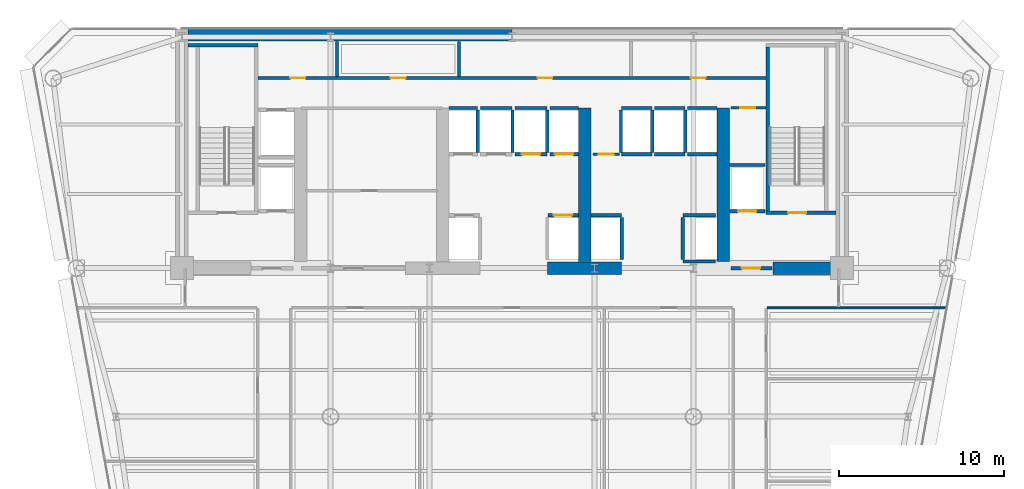
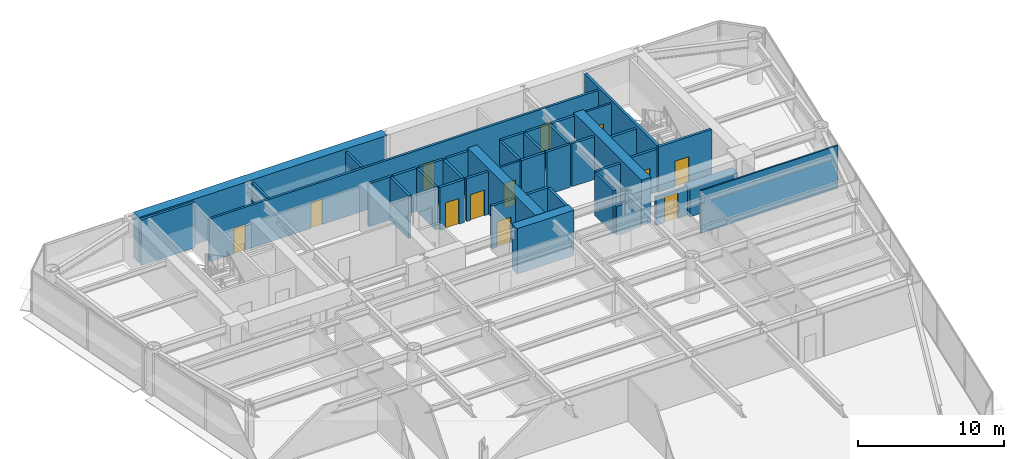
# One storey, part 9 of 14: 41 walls, 12 doors, 12 openings.
"""IFC4 building model written with IfcOpenShell, lengths in metres."""

from ifc_helpers import new_model, si_unit, direction, frame, frame_2d, origin, place, context, subcontext, project, spatial, rectangle, extrude, source, transform, mapped, material, layer, layer_set, type_object, element, fill, save


model = new_model("IFC4")

# Units and contexts
model_context = context("Model", 3, precision=1e-05, world=origin(), true_north=direction((0.0, 1.0)))
body_context = subcontext(model_context, "Body", "Model", "MODEL_VIEW")
ifc_project = project(units=[si_unit("LENGTHUNIT", "METRE"), si_unit("AREAUNIT", "SQUARE_METRE"), si_unit("VOLUMEUNIT", "CUBIC_METRE"), si_unit("PLANEANGLEUNIT", "RADIAN"), si_unit("MASSUNIT", "GRAM", prefix="KILO")], contexts=[model_context])

# Site, building, storey
site_placement = place(None, origin())
site = spatial("IfcSite", under=ifc_project, at=site_placement, CompositionType="ELEMENT")
building_placement = place(site_placement, origin())
building = spatial("IfcBuilding", under=site, at=building_placement, Name="Vaeldorn Concourse Tower", CompositionType="ELEMENT")
storey_placement = place(building_placement, frame((0.0, 0.0, 130.0)))
storey = spatial("IfcBuildingStorey", under=building, at=storey_placement, Name="L33", CompositionType="ELEMENT", Elevation=130.0)

# Walls
ifc_material_1 = material(Name="Concrete C60/75", Category="concrete")
ifc_layer_1 = layer(ifc_material_1, 0.75)
ifc_layer_set_1 = layer_set([ifc_layer_1], Name="Concrete C60/75")
wall_type_1 = type_object("IfcWallType", Name="WL-CORE-750", PredefinedType="SHEAR", material=ifc_layer_set_1)
wall_1_placement = place(storey_placement, frame((14.37890625, 50.625, 0.0), z_axis=(0.0, 0.0, 1.0), x_axis=(1.0, 0.0, 0.0)))
element("IfcWall", 1, at=wall_1_placement, inside=storey, type_object=wall_type_1, Name="Rear Core Shear Wall L33 N1", PredefinedType="SHEAR", context=body_context, shape_type="SweptSolid", body=[
    extrude(rectangle(XDim=19.619140625, YDim=0.75, at=frame_2d((9.8095703125, 0.0))), origin(), (0.0, 0.0, 1.0), 3.800048828125),
])
wall_2_placement = place(storey_placement, frame((36.14990234375, 36.5, 0.0), z_axis=(0.0, 0.0, 1.0), x_axis=(1.0, 0.0, 0.0)))
element("IfcWall", 2, at=wall_2_placement, inside=storey, type_object=wall_type_1, Name="Rear Core Shear Wall L33 S3", PredefinedType="SHEAR", context=body_context, shape_type="SweptSolid", body=[
    extrude(rectangle(XDim=4.5, YDim=0.75, at=frame_2d((2.25, 0.0))), origin(), (0.0, 0.0, 1.0), 3.800048828125),
])
wall_3_placement = place(storey_placement, frame((49.800048828125, 36.5, 0.0), z_axis=(0.0, 0.0, 1.0), x_axis=(1.0, 0.0, 0.0)))
element("IfcWall", 3, at=wall_3_placement, inside=storey, type_object=wall_type_1, Name="Rear Core Shear Wall L33 S4", PredefinedType="SHEAR", context=body_context, shape_type="SweptSolid", body=[
    extrude(rectangle(XDim=3.804931640625, YDim=0.75, at=frame_2d((1.90234375, 0.0))), origin(), (0.0, 0.0, 1.0), 2.3798828125),
])
for number, where, z_axis, x_axis, name in (
    (4, (38.39990234375, 36.89501953125, 0.0), (0.0, 0.0, 1.0), (0.0, 1.0, 0.0), "Rear Core Shear Wall L33 M3"),
    (5, (46.800048828125, 36.89501953125, 0.0), (0.0, 0.0, 1.0), (0.0, 1.0, 0.0), "Rear Core Shear Wall L33 M4"),
):
    element("IfcWall", number, at=place(storey_placement, frame(where, z_axis=z_axis, x_axis=x_axis)), inside=storey, type_object=wall_type_1, Name=name, PredefinedType="SHEAR", context=body_context, shape_type="SweptSolid", body=[
        extrude(rectangle(XDim=9.304931640625, YDim=0.75, at=frame_2d((4.65234375, 0.0))), origin(), (0.0, 0.0, 1.0), 3.800048828125),
    ])
ifc_material_2 = material(Name="Gypsum Board Partition", Category="gypsum")
ifc_layer_2 = layer(ifc_material_2, 0.1201171875)
ifc_layer_set_2 = layer_set([ifc_layer_2], Name="Gypsum Board Partition")
wall_type_2 = type_object("IfcWallType", Name="WL-PART-120", PredefinedType="PARTITIONING", material=ifc_layer_set_2)
wall_4_placement = place(storey_placement, frame((49.4599609375, 34.10009765625, 0.0), z_axis=(0.0, 0.0, 1.0), x_axis=(1.0, 0.0, 0.0)))
element("IfcWall", 6, at=wall_4_placement, inside=storey, type_object=wall_type_2, Name="Interior Wall PW-L33-CEWE", PredefinedType="PARTITIONING", context=body_context, shape_type="SweptSolid", body=[
    extrude(rectangle(XDim=10.84716796875, YDim=0.1201171875, at=frame_2d((5.423583984375, 0.0))), origin(), (0.0, 0.0, 1.0), 3.580078125),
])

# Wall, opening, door
ifc_layer_3 = layer(ifc_material_2, 0.14990234375)
ifc_layer_set_3 = layer_set([ifc_layer_3], Name="Gypsum Board Partition")
wall_type_3 = type_object("IfcWallType", Name="WL-PART-150", PredefinedType="PARTITIONING", material=ifc_layer_set_3)
wall_5_placement = place(storey_placement, frame((47.280029296875, 46.219970703125, 0.0), z_axis=(0.0, 0.0, 1.0), x_axis=(1.0, 0.0, 0.0)))
wall_5 = element("IfcWall", 7, at=wall_5_placement, inside=storey, type_object=wall_type_3, Name="Interior Wall CW-L33-CRSE-N", PredefinedType="PARTITIONING", context=body_context, shape_type="SweptSolid", body=[
    extrude(rectangle(XDim=2.099853515625, YDim=0.14990234375, at=frame_2d((1.0498046875, 0.0))), origin(), (0.0, 0.0, 1.0), 3.580078125),
])
opening_1_placement = place(wall_5_placement, frame((0.550048828125, 0.0, 0.0)))
opening_1 = element("IfcOpeningElement", 8, at=opening_1_placement, cuts=wall_5, Name="Opening D-02", PredefinedType="OPENING", context=body_context, shape_type="SweptSolid", body=[
    extrude(rectangle(XDim=0.89990234375, YDim=2.10009765625, at=frame_2d((0.449951171875, 1.050048828125))), frame((0.0, 0.0849609375, 0.0), z_axis=(0.0, -1.0, 0.0), x_axis=(1.0, 0.0, 0.0)), (0.0, 0.0, 1.0), 0.169921875),
])
ifc_material_3 = material(Name="Fire-Rated Timber Leaf", Category="wood")
door_type_1 = type_object("IfcDoorType", Name="DR-FD30-900", OperationType="NOTDEFINED", PredefinedType="DOOR", material=ifc_material_3)
shared_shape_1 = source(origin(), body_context, "Body", "SweptSolid", [
    extrude(rectangle(XDim=0.89990234375, YDim=2.10009765625, at=frame_2d((0.449951171875, 1.050048828125))), frame((0.0, 0.02490234375, 0.0), z_axis=(0.0, -1.0, 0.0), x_axis=(1.0, 0.0, 0.0)), (0.0, 0.0, 1.0), 0.050048828125),
])
door_1_placement = place(opening_1_placement, origin())
door_1 = element("IfcDoor", 9, at=door_1_placement, inside=storey, type_object=door_type_1, Name="Interior Door DR-L33-CRSE", OperationType="SINGLE_SWING_RIGHT", OverallHeight=2.10009765625, OverallWidth=0.89990234375, PredefinedType="DOOR", context=body_context, shape_type="MappedRepresentation", body=[
    mapped(shared_shape_1, transform((0.0, 0.0, 0.0), scale=1.0)),
])
fill(opening_1, door_1)

wall_6_placement = place(storey_placement, frame((38.919921875, 43.39990234375, 0.0), z_axis=(0.0, 0.0, 1.0), x_axis=(1.0, 0.0, 0.0)))
wall_6 = element("IfcWall", 10, at=wall_6_placement, inside=storey, type_object=wall_type_3, Name="Interior Wall CW-L33-CCLINK", PredefinedType="PARTITIONING", context=body_context, shape_type="SweptSolid", body=[
    extrude(rectangle(XDim=1.60009765625, YDim=0.14990234375, at=frame_2d((0.800048828125, 0.0))), origin(), (0.0, 0.0, 1.0), 3.580078125),
])
opening_2_placement = place(wall_6_placement, frame((0.35009765625, 0.0, 0.0)))
opening_2 = element("IfcOpeningElement", 11, at=opening_2_placement, cuts=wall_6, Name="Opening D-02", PredefinedType="OPENING", context=body_context, shape_type="SweptSolid", body=[
    extrude(rectangle(XDim=0.89990234375, YDim=2.10009765625, at=frame_2d((0.449951171875, 1.050048828125))), frame((0.0, 0.0849609375, 0.0), z_axis=(0.0, -1.0, 0.0), x_axis=(1.0, 0.0, 0.0)), (0.0, 0.0, 1.0), 0.169921875),
])
door_2_placement = place(opening_2_placement, origin())
door_2 = element("IfcDoor", 12, at=door_2_placement, inside=storey, type_object=door_type_1, Name="Interior Door DR-L33-CCLINK", OperationType="SINGLE_SWING_LEFT", OverallHeight=2.10009765625, OverallWidth=0.89990234375, PredefinedType="DOOR", context=body_context, shape_type="MappedRepresentation", body=[
    mapped(shared_shape_1, transform((0.0, 0.0, 0.0), scale=1.0)),
])
fill(opening_2, door_2)

# Wall, openings, doors
ifc_layer_4 = layer(ifc_material_2, 0.179931640625)
ifc_layer_set_4 = layer_set([ifc_layer_4], Name="Gypsum Board Partition")
wall_type_4 = type_object("IfcWallType", Name="WL-PLUMB-180", PredefinedType="PLUMBINGWALL", material=ifc_layer_set_4)
wall_7_placement = place(storey_placement, frame((18.6201171875, 48.02001953125, 0.0), z_axis=(0.0, 0.0, 1.0), x_axis=(1.0, 0.0, 0.0)))
wall_7 = element("IfcWall", 13, at=wall_7_placement, inside=storey, type_object=wall_type_4, Name="Interior Wall CW-L33-NS0", PredefinedType="PLUMBINGWALL", context=body_context, shape_type="SweptSolid", body=[
    extrude(rectangle(XDim=30.759765625, YDim=0.179931640625, at=frame_2d((15.3798828125, 0.0))), origin(), (0.0, 0.0, 1.0), 3.580078125),
])
opening_3_placement = place(wall_7_placement, frame((1.955078125, 0.0, 0.0)))
opening_3 = element("IfcOpeningElement", 14, at=opening_3_placement, cuts=wall_7, Name="Opening D-03", PredefinedType="OPENING", context=body_context, shape_type="SweptSolid", body=[
    extrude(rectangle(XDim=0.89990234375, YDim=2.14990234375, at=frame_2d((0.449951171875, 1.074951171875))), frame((0.0, 0.10009765625, 0.0), z_axis=(0.0, -1.0, 0.0), x_axis=(1.0, 0.0, 0.0)), (0.0, 0.0, 1.0), 0.199951171875),
])
opening_4_placement = place(wall_7_placement, frame((8.030029296875, 0.0, 0.0)))
opening_4 = element("IfcOpeningElement", 15, at=opening_4_placement, cuts=wall_7, Name="Opening D-03", PredefinedType="OPENING", context=body_context, shape_type="SweptSolid", body=[
    extrude(rectangle(XDim=0.89990234375, YDim=2.14990234375, at=frame_2d((0.449951171875, 1.074951171875))), frame((0.0, 0.10009765625, 0.0), z_axis=(0.0, -1.0, 0.0), x_axis=(1.0, 0.0, 0.0)), (0.0, 0.0, 1.0), 0.199951171875),
])
opening_5_placement = place(wall_7_placement, frame((16.929931640625, 0.0, 0.0)))
opening_5 = element("IfcOpeningElement", 16, at=opening_5_placement, cuts=wall_7, Name="Opening D-03", PredefinedType="OPENING", context=body_context, shape_type="SweptSolid", body=[
    extrude(rectangle(XDim=0.89990234375, YDim=2.14990234375, at=frame_2d((0.449951171875, 1.074951171875))), frame((0.0, 0.10009765625, 0.0), z_axis=(0.0, -1.0, 0.0), x_axis=(1.0, 0.0, 0.0)), (0.0, 0.0, 1.0), 0.199951171875),
])
opening_6_placement = place(wall_7_placement, frame((26.205078125, 0.0, 0.0)))
opening_6 = element("IfcOpeningElement", 17, at=opening_6_placement, cuts=wall_7, Name="Opening D-03", PredefinedType="OPENING", context=body_context, shape_type="SweptSolid", body=[
    extrude(rectangle(XDim=0.89990234375, YDim=2.14990234375, at=frame_2d((0.449951171875, 1.074951171875))), frame((0.0, 0.10009765625, 0.0), z_axis=(0.0, -1.0, 0.0), x_axis=(1.0, 0.0, 0.0)), (0.0, 0.0, 1.0), 0.199951171875),
])
ifc_material_4 = material(Name="Acoustic Bronze-Framed Glass Door", Category="glass")
door_type_2 = type_object("IfcDoorType", Name="DR-INT-900", OperationType="NOTDEFINED", PredefinedType="DOOR", material=ifc_material_4)
shared_shape_2 = source(origin(), body_context, "Body", "SweptSolid", [
    extrude(rectangle(XDim=0.89990234375, YDim=2.14990234375, at=frame_2d((0.449951171875, 1.074951171875))), frame((0.0, 0.02490234375, 0.0), z_axis=(0.0, -1.0, 0.0), x_axis=(1.0, 0.0, 0.0)), (0.0, 0.0, 1.0), 0.050048828125),
])
door_3_placement = place(opening_3_placement, origin())
door_3 = element("IfcDoor", 18, at=door_3_placement, inside=storey, type_object=door_type_2, Name="Interior Door DR-L33-CS1", OperationType="SINGLE_SWING_LEFT", OverallHeight=2.14990234375, OverallWidth=0.89990234375, PredefinedType="DOOR", context=body_context, shape_type="MappedRepresentation", body=[
    mapped(shared_shape_2, transform((0.0, 0.0, 0.0), scale=1.0)),
])
fill(opening_3, door_3)
door_4_placement = place(opening_4_placement, origin())
door_4 = element("IfcDoor", 19, at=door_4_placement, inside=storey, type_object=door_type_2, Name="Interior Door DR-L33-CS2", OperationType="SINGLE_SWING_RIGHT", OverallHeight=2.14990234375, OverallWidth=0.89990234375, PredefinedType="DOOR", context=body_context, shape_type="MappedRepresentation", body=[
    mapped(shared_shape_2, transform((0.0, 0.0, 0.0), scale=1.0)),
])
fill(opening_4, door_4)
door_5_placement = place(opening_5_placement, origin())
door_5 = element("IfcDoor", 20, at=door_5_placement, inside=storey, type_object=door_type_2, Name="Interior Door DR-L33-CS3", OperationType="SINGLE_SWING_LEFT", OverallHeight=2.14990234375, OverallWidth=0.89990234375, PredefinedType="DOOR", context=body_context, shape_type="MappedRepresentation", body=[
    mapped(shared_shape_2, transform((0.0, 0.0, 0.0), scale=1.0)),
])
fill(opening_5, door_5)
door_6_placement = place(opening_6_placement, origin())
door_6 = element("IfcDoor", 21, at=door_6_placement, inside=storey, type_object=door_type_2, Name="Interior Door DR-L33-CS4", OperationType="SINGLE_SWING_RIGHT", OverallHeight=2.14990234375, OverallWidth=0.89990234375, PredefinedType="DOOR", context=body_context, shape_type="MappedRepresentation", body=[
    mapped(shared_shape_2, transform((0.0, 0.0, 0.0), scale=1.0)),
])
fill(opening_6, door_6)

# Walls
for number, where, z_axis, x_axis, name in (
    (22, (23.39990234375, 48.10009765625, 0.0), (0.0, 0.0, 1.0), (0.0, 1.0, 0.0), "Interior Wall CW-L33-NDIV1"),
    (23, (30.800048828125, 48.10009765625, 0.0), (0.0, 0.0, 1.0), (0.0, 1.0, 0.0), "Interior Wall CW-L33-NDIV2"),
):
    element("IfcWall", number, at=place(storey_placement, frame(where, z_axis=z_axis, x_axis=x_axis)), inside=storey, type_object=wall_type_4, Name=name, PredefinedType="PLUMBINGWALL", context=body_context, shape_type="SweptSolid", body=[
        extrude(rectangle(XDim=2.1298828125, YDim=0.179931640625, at=frame_2d((1.06494140625, 0.0))), origin(), (0.0, 0.0, 1.0), 3.580078125),
    ])
ifc_material_5 = material(Name="Concrete C50/60", Category="concrete")
ifc_layer_5 = layer(ifc_material_5, 0.199951171875)
ifc_layer_set_5 = layer_set([ifc_layer_5], Name="Concrete C50/60")
wall_type_5 = type_object("IfcWallType", Name="WL-SHAFT-200", PredefinedType="SOLIDWALL", material=ifc_layer_set_5)
wall_8_placement = place(storey_placement, frame((14.375, 50.0, 0.0), z_axis=(0.0, 0.0, 1.0), x_axis=(1.0, 0.0, 0.0)))
element("IfcWall", 24, at=wall_8_placement, inside=storey, type_object=wall_type_5, Name="Stair Shaft Wall CW-L33-ST-1-N", PredefinedType="SOLIDWALL", context=body_context, shape_type="SweptSolid", body=[
    extrude(rectangle(XDim=4.22509765625, YDim=0.199951171875, at=frame_2d((2.112548828125, 0.0))), origin(), (0.0, 0.0, 1.0), 3.800048828125),
])

# Wall, opening, door
wall_9_placement = place(storey_placement, frame((49.39990234375, 39.85009765625, 0.0), z_axis=(0.0, 0.0, 1.0), x_axis=(1.0, 0.0, 0.0)))
wall_9 = element("IfcWall", 25, at=wall_9_placement, inside=storey, type_object=wall_type_5, Name="Stair Shaft Wall CW-L33-ST-2-S", PredefinedType="SOLIDWALL", context=body_context, shape_type="SweptSolid", body=[
    extrude(rectangle(XDim=4.22509765625, YDim=0.199951171875, at=frame_2d((2.112548828125, 0.0))), origin(), (0.0, 0.0, 1.0), 3.800048828125),
])
opening_7_placement = place(wall_9_placement, frame((1.324951171875, 0.0, 0.0)))
opening_7 = element("IfcOpeningElement", 26, at=opening_7_placement, cuts=wall_9, Name="Opening D-01", PredefinedType="OPENING", context=body_context, shape_type="SweptSolid", body=[
    extrude(rectangle(XDim=1.10009765625, YDim=2.14990234375, at=frame_2d((0.550048828125, 1.074951171875))), frame((0.0, 0.10986328125, 0.0), z_axis=(0.0, -1.0, 0.0), x_axis=(1.0, 0.0, 0.0)), (0.0, 0.0, 1.0), 0.219970703125),
])
ifc_material_6 = material(Name="Fire-Rated Timber and Steel Leaf", Category="steel")
door_type_3 = type_object("IfcDoorType", Name="DR-FD60-1100", OperationType="NOTDEFINED", PredefinedType="DOOR", material=ifc_material_6)
shared_shape_3 = source(origin(), body_context, "Body", "SweptSolid", [
    extrude(rectangle(XDim=1.10009765625, YDim=2.14990234375, at=frame_2d((0.550048828125, 1.074951171875))), frame((0.0, 0.02490234375, 0.0), z_axis=(0.0, -1.0, 0.0), x_axis=(1.0, 0.0, 0.0)), (0.0, 0.0, 1.0), 0.050048828125),
])
door_7_placement = place(opening_7_placement, origin())
door_7 = element("IfcDoor", 27, at=door_7_placement, inside=storey, type_object=door_type_3, Name="Interior Door DR-L33-ST-2", OperationType="SINGLE_SWING_RIGHT", OverallHeight=2.14990234375, OverallWidth=1.10009765625, PredefinedType="DOOR", context=body_context, shape_type="MappedRepresentation", body=[
    mapped(shared_shape_3, transform((0.0, 0.0, 0.0), scale=1.0)),
])
fill(opening_7, door_7)

# Wall
wall_10_placement = place(storey_placement, frame((49.5, 39.9599609375, 0.0), z_axis=(0.0, 0.0, 1.0), x_axis=(0.0, 1.0, 0.0)))
element("IfcWall", 28, at=wall_10_placement, inside=storey, type_object=wall_type_5, Name="Stair Shaft Wall CW-L33-ST-2-W", PredefinedType="SOLIDWALL", context=body_context, shape_type="SweptSolid", body=[
    extrude(rectangle(XDim=9.929931640625, YDim=0.199951171875, at=frame_2d((4.96484375, 0.0))), origin(), (0.0, 0.0, 1.0), 3.800048828125),
])

# Wall, opening, door
wall_11_placement = place(storey_placement, frame((47.280029296875, 36.5, 0.0), z_axis=(0.0, 0.0, 1.0), x_axis=(1.0, 0.0, 0.0)))
wall_11 = element("IfcWall", 29, at=wall_11_placement, inside=storey, type_object=wall_type_5, Name="Interior Wall CW-L33-FF2S", PredefinedType="SOLIDWALL", context=body_context, shape_type="SweptSolid", body=[
    extrude(rectangle(XDim=2.469970703125, YDim=0.199951171875, at=frame_2d((1.23486328125, 0.0))), origin(), (0.0, 0.0, 1.0), 2.3701171875),
])
opening_8_placement = place(wall_11_placement, frame((0.64990234375, 0.0, 0.0)))
opening_8 = element("IfcOpeningElement", 30, at=opening_8_placement, cuts=wall_11, Name="Opening D-01", PredefinedType="OPENING", context=body_context, shape_type="SweptSolid", body=[
    extrude(rectangle(XDim=1.10009765625, YDim=2.14990234375, at=frame_2d((0.550048828125, 1.074951171875))), frame((0.0, 0.10986328125, 0.0), z_axis=(0.0, -1.0, 0.0), x_axis=(1.0, 0.0, 0.0)), (0.0, 0.0, 1.0), 0.219970703125),
])
door_8_placement = place(opening_8_placement, origin())
door_8 = element("IfcDoor", 31, at=door_8_placement, inside=storey, type_object=door_type_3, Name="Interior Door DR-L33-FF2W", OperationType="SINGLE_SWING_LEFT", OverallHeight=2.14990234375, OverallWidth=1.10009765625, PredefinedType="DOOR", context=body_context, shape_type="MappedRepresentation", body=[
    mapped(shared_shape_3, transform((0.0, 0.0, 0.0), scale=1.0)),
])
fill(opening_8, door_8)

wall_12_placement = place(storey_placement, frame((36.169921875, 39.699951171875, 0.0), z_axis=(0.0, 0.0, 1.0), x_axis=(1.0, 0.0, 0.0)))
wall_12 = element("IfcWall", 32, at=wall_12_placement, inside=storey, type_object=wall_type_5, Name="Interior Wall CW-L33-LF-LF-08", PredefinedType="SOLIDWALL", context=body_context, shape_type="SweptSolid", body=[
    extrude(rectangle(XDim=1.844970703125, YDim=0.199951171875, at=frame_2d((0.92236328125, 0.0))), origin(), (0.0, 0.0, 1.0), 3.580078125),
])
opening_9_placement = place(wall_12_placement, frame((0.3720703125, 0.0, 0.0)))
opening_9 = element("IfcOpeningElement", 33, at=opening_9_placement, cuts=wall_12, Name="Opening LD-1", PredefinedType="OPENING", context=body_context, shape_type="SweptSolid", body=[
    extrude(rectangle(XDim=1.10009765625, YDim=2.14990234375, at=frame_2d((0.550048828125, 1.074951171875))), frame((0.0, 0.10986328125, 0.0), z_axis=(0.0, -1.0, 0.0), x_axis=(1.0, 0.0, 0.0)), (0.0, 0.0, 1.0), 0.219970703125),
])
ifc_material_7 = material(Name="Anodised Bronze Aluminium", Category="aluminium")
door_type_4 = type_object("IfcDoorType", Name="DR-LIFT-SLIDE-1100", OperationType="DOUBLE_DOOR_SLIDING", PredefinedType="DOOR", material=ifc_material_7)
door_9_placement = place(opening_9_placement, origin())
door_9 = element("IfcDoor", 34, at=door_9_placement, inside=storey, type_object=door_type_4, Name="Lift Landing Door LD-L33-LF-08", OperationType="DOUBLE_DOOR_SLIDING", OverallHeight=2.14990234375, OverallWidth=1.10009765625, PredefinedType="DOOR", context=body_context, shape_type="MappedRepresentation", body=[
    mapped(shared_shape_3, transform((0.0, 0.0, 0.0), scale=1.0)),
])
fill(opening_9, door_9)

# Walls
wall_13_placement = place(storey_placement, frame((30.18505859375, 46.199951171875, 0.0), z_axis=(0.0, 0.0, 1.0), x_axis=(1.0, 0.0, 0.0)))
element("IfcWall", 35, at=wall_13_placement, inside=storey, type_object=wall_type_5, Name="Interior Wall CW-L33-LFB-LF-09", PredefinedType="SOLIDWALL", context=body_context, shape_type="SweptSolid", body=[
    extrude(rectangle(XDim=1.724853515625, YDim=0.199951171875, at=frame_2d((0.8623046875, 0.0))), origin(), (0.0, 0.0, 1.0), 3.580078125),
])
wall_14_placement = place(storey_placement, frame((31.929931640625, 43.52001953125, 0.0), z_axis=(0.0, 0.0, 1.0), x_axis=(0.0, 1.0, 0.0)))
element("IfcWall", 36, at=wall_14_placement, inside=storey, type_object=wall_type_5, Name="Interior Wall CW-L33-LFE-LF-09", PredefinedType="SOLIDWALL", context=body_context, shape_type="SweptSolid", body=[
    extrude(rectangle(XDim=2.56005859375, YDim=0.199951171875, at=frame_2d((1.280029296875, 0.0))), origin(), (0.0, 0.0, 1.0), 3.580078125),
])
wall_15_placement = place(storey_placement, frame((32.090087890625, 46.199951171875, 0.0), z_axis=(0.0, 0.0, 1.0), x_axis=(1.0, 0.0, 0.0)))
element("IfcWall", 37, at=wall_15_placement, inside=storey, type_object=wall_type_5, Name="Interior Wall CW-L33-LFB-LF-10", PredefinedType="SOLIDWALL", context=body_context, shape_type="SweptSolid", body=[
    extrude(rectangle(XDim=1.919921875, YDim=0.199951171875, at=frame_2d((0.9599609375, 0.0))), origin(), (0.0, 0.0, 1.0), 3.580078125),
])
wall_16_placement = place(storey_placement, frame((34.030029296875, 43.52001953125, 0.0), z_axis=(0.0, 0.0, 1.0), x_axis=(0.0, 1.0, 0.0)))
element("IfcWall", 38, at=wall_16_placement, inside=storey, type_object=wall_type_5, Name="Interior Wall CW-L33-LFE-LF-10", PredefinedType="SOLIDWALL", context=body_context, shape_type="SweptSolid", body=[
    extrude(rectangle(XDim=2.56005859375, YDim=0.199951171875, at=frame_2d((1.280029296875, 0.0))), origin(), (0.0, 0.0, 1.0), 3.580078125),
])

# Wall, opening, door
wall_17_placement = place(storey_placement, frame((34.18994140625, 43.39990234375, 0.0), z_axis=(0.0, 0.0, 1.0), x_axis=(1.0, 0.0, 0.0)))
wall_17 = element("IfcWall", 39, at=wall_17_placement, inside=storey, type_object=wall_type_5, Name="Interior Wall CW-L33-LF-LF-11", PredefinedType="SOLIDWALL", context=body_context, shape_type="SweptSolid", body=[
    extrude(rectangle(XDim=1.920166015625, YDim=0.199951171875, at=frame_2d((0.9599609375, 0.0))), origin(), (0.0, 0.0, 1.0), 3.580078125),
])
opening_10_placement = place(wall_17_placement, frame((0.409912109375, 0.0, 0.0)))
opening_10 = element("IfcOpeningElement", 40, at=opening_10_placement, cuts=wall_17, Name="Opening LD-1", PredefinedType="OPENING", context=body_context, shape_type="SweptSolid", body=[
    extrude(rectangle(XDim=1.10009765625, YDim=2.14990234375, at=frame_2d((0.550048828125, 1.074951171875))), frame((0.0, 0.10986328125, 0.0), z_axis=(0.0, -1.0, 0.0), x_axis=(1.0, 0.0, 0.0)), (0.0, 0.0, 1.0), 0.219970703125),
])
door_10_placement = place(opening_10_placement, origin())
door_10 = element("IfcDoor", 41, at=door_10_placement, inside=storey, type_object=door_type_4, Name="Lift Landing Door LD-L33-LF-11", OperationType="DOUBLE_DOOR_SLIDING", OverallHeight=2.14990234375, OverallWidth=1.10009765625, PredefinedType="DOOR", context=body_context, shape_type="MappedRepresentation", body=[
    mapped(shared_shape_3, transform((0.0, 0.0, 0.0), scale=1.0)),
])
fill(opening_10, door_10)

# Walls
wall_18_placement = place(storey_placement, frame((34.18994140625, 46.199951171875, 0.0), z_axis=(0.0, 0.0, 1.0), x_axis=(1.0, 0.0, 0.0)))
element("IfcWall", 42, at=wall_18_placement, inside=storey, type_object=wall_type_5, Name="Interior Wall CW-L33-LFB-LF-11", PredefinedType="SOLIDWALL", context=body_context, shape_type="SweptSolid", body=[
    extrude(rectangle(XDim=1.920166015625, YDim=0.199951171875, at=frame_2d((0.9599609375, 0.0))), origin(), (0.0, 0.0, 1.0), 3.580078125),
])
wall_19_placement = place(storey_placement, frame((36.1298828125, 43.52001953125, 0.0), z_axis=(0.0, 0.0, 1.0), x_axis=(0.0, 1.0, 0.0)))
element("IfcWall", 43, at=wall_19_placement, inside=storey, type_object=wall_type_5, Name="Interior Wall CW-L33-LFE-LF-11", PredefinedType="SOLIDWALL", context=body_context, shape_type="SweptSolid", body=[
    extrude(rectangle(XDim=2.56005859375, YDim=0.199951171875, at=frame_2d((1.280029296875, 0.0))), origin(), (0.0, 0.0, 1.0), 3.580078125),
])

# Wall, opening, door
wall_20_placement = place(storey_placement, frame((36.2900390625, 43.39990234375, 0.0), z_axis=(0.0, 0.0, 1.0), x_axis=(1.0, 0.0, 0.0)))
wall_20 = element("IfcWall", 44, at=wall_20_placement, inside=storey, type_object=wall_type_5, Name="Interior Wall CW-L33-LF-LF-12", PredefinedType="SOLIDWALL", context=body_context, shape_type="SweptSolid", body=[
    extrude(rectangle(XDim=1.724853515625, YDim=0.199951171875, at=frame_2d((0.8623046875, 0.0))), origin(), (0.0, 0.0, 1.0), 3.580078125),
])
opening_11_placement = place(wall_20_placement, frame((0.31298828125, 0.0, 0.0)))
opening_11 = element("IfcOpeningElement", 45, at=opening_11_placement, cuts=wall_20, Name="Opening LD-1", PredefinedType="OPENING", context=body_context, shape_type="SweptSolid", body=[
    extrude(rectangle(XDim=1.10009765625, YDim=2.14990234375, at=frame_2d((0.550048828125, 1.074951171875))), frame((0.0, 0.10986328125, 0.0), z_axis=(0.0, -1.0, 0.0), x_axis=(1.0, 0.0, 0.0)), (0.0, 0.0, 1.0), 0.219970703125),
])
door_11_placement = place(opening_11_placement, origin())
door_11 = element("IfcDoor", 46, at=door_11_placement, inside=storey, type_object=door_type_4, Name="Lift Landing Door LD-L33-LF-12", OperationType="DOUBLE_DOOR_SLIDING", OverallHeight=2.14990234375, OverallWidth=1.10009765625, PredefinedType="DOOR", context=body_context, shape_type="MappedRepresentation", body=[
    mapped(shared_shape_3, transform((0.0, 0.0, 0.0), scale=1.0)),
])
fill(opening_11, door_11)

# Walls
wall_21_placement = place(storey_placement, frame((36.2900390625, 46.199951171875, 0.0), z_axis=(0.0, 0.0, 1.0), x_axis=(1.0, 0.0, 0.0)))
element("IfcWall", 47, at=wall_21_placement, inside=storey, type_object=wall_type_5, Name="Interior Wall CW-L33-LFB-LF-12", PredefinedType="SOLIDWALL", context=body_context, shape_type="SweptSolid", body=[
    extrude(rectangle(XDim=1.724853515625, YDim=0.199951171875, at=frame_2d((0.8623046875, 0.0))), origin(), (0.0, 0.0, 1.0), 3.580078125),
])
wall_22_placement = place(storey_placement, frame((38.784912109375, 39.699951171875, 0.0), z_axis=(0.0, 0.0, 1.0), x_axis=(1.0, 0.0, 0.0)))
element("IfcWall", 48, at=wall_22_placement, inside=storey, type_object=wall_type_5, Name="Interior Wall CW-L33-LF-LF-13", PredefinedType="SOLIDWALL", context=body_context, shape_type="SweptSolid", body=[
    extrude(rectangle(XDim=1.844970703125, YDim=0.199951171875, at=frame_2d((0.92236328125, 0.0))), origin(), (0.0, 0.0, 1.0), 3.580078125),
])
wall_23_placement = place(storey_placement, frame((40.64990234375, 37.02001953125, 0.0), z_axis=(0.0, 0.0, 1.0), x_axis=(0.0, 1.0, 0.0)))
element("IfcWall", 49, at=wall_23_placement, inside=storey, type_object=wall_type_5, Name="Interior Wall CW-L33-LFE-LF-13", PredefinedType="SOLIDWALL", context=body_context, shape_type="SweptSolid", body=[
    extrude(rectangle(XDim=2.56005859375, YDim=0.199951171875, at=frame_2d((1.280029296875, 0.0))), origin(), (0.0, 0.0, 1.0), 3.580078125),
])
wall_24_placement = place(storey_placement, frame((44.3701171875, 39.699951171875, 0.0), z_axis=(0.0, 0.0, 1.0), x_axis=(1.0, 0.0, 0.0)))
element("IfcWall", 50, at=wall_24_placement, inside=storey, type_object=wall_type_5, Name="Interior Wall CW-L33-LF-LF-14", PredefinedType="SOLIDWALL", context=body_context, shape_type="SweptSolid", body=[
    extrude(rectangle(XDim=1.9599609375, YDim=0.199951171875, at=frame_2d((0.97998046875, 0.0))), origin(), (0.0, 0.0, 1.0), 3.580078125),
])
wall_25_placement = place(storey_placement, frame((44.3701171875, 36.89990234375, 0.0), z_axis=(0.0, 0.0, 1.0), x_axis=(1.0, 0.0, 0.0)))
element("IfcWall", 51, at=wall_25_placement, inside=storey, type_object=wall_type_5, Name="Interior Wall CW-L33-LFB-LF-14", PredefinedType="SOLIDWALL", context=body_context, shape_type="SweptSolid", body=[
    extrude(rectangle(XDim=1.9599609375, YDim=0.199951171875, at=frame_2d((0.97998046875, 0.0))), origin(), (0.0, 0.0, 1.0), 2.3701171875),
])
wall_26_placement = place(storey_placement, frame((44.35009765625, 37.02001953125, 0.0), z_axis=(0.0, 0.0, 1.0), x_axis=(0.0, 1.0, 0.0)))
element("IfcWall", 52, at=wall_26_placement, inside=storey, type_object=wall_type_5, Name="Interior Wall CW-L33-LFW-LF-14", PredefinedType="SOLIDWALL", context=body_context, shape_type="SweptSolid", body=[
    extrude(rectangle(XDim=2.56005859375, YDim=0.199951171875, at=frame_2d((1.280029296875, 0.0))), origin(), (0.0, 0.0, 1.0), 3.580078125),
])
for number, where, z_axis, x_axis, name in (
    (53, (40.6201171875, 43.39990234375, 0.0), (0.0, 0.0, 1.0), (1.0, 0.0, 0.0), "Interior Wall CW-L33-LF-LF-15"),
    (54, (40.6201171875, 46.199951171875, 0.0), (0.0, 0.0, 1.0), (1.0, 0.0, 0.0), "Interior Wall CW-L33-LFB-LF-15"),
):
    element("IfcWall", number, at=place(storey_placement, frame(where, z_axis=z_axis, x_axis=x_axis)), inside=storey, type_object=wall_type_5, Name=name, PredefinedType="SOLIDWALL", context=body_context, shape_type="SweptSolid", body=[
        extrude(rectangle(XDim=1.85986328125, YDim=0.199951171875, at=frame_2d((0.929931640625, 0.0))), origin(), (0.0, 0.0, 1.0), 3.580078125),
    ])
for number, where, z_axis, x_axis, name in (
    (55, (40.60009765625, 43.52001953125, 0.0), (0.0, 0.0, 1.0), (0.0, 1.0, 0.0), "Interior Wall CW-L33-LFW-LF-15"),
    (56, (42.5, 43.52001953125, 0.0), (0.0, 0.0, 1.0), (0.0, 1.0, 0.0), "Interior Wall CW-L33-LFE-LF-15"),
):
    element("IfcWall", number, at=place(storey_placement, frame(where, z_axis=z_axis, x_axis=x_axis)), inside=storey, type_object=wall_type_5, Name=name, PredefinedType="SOLIDWALL", context=body_context, shape_type="SweptSolid", body=[
        extrude(rectangle(XDim=2.56005859375, YDim=0.199951171875, at=frame_2d((1.280029296875, 0.0))), origin(), (0.0, 0.0, 1.0), 3.580078125),
    ])
for number, where, z_axis, x_axis, name in (
    (57, (42.6201171875, 43.39990234375, 0.0), (0.0, 0.0, 1.0), (1.0, 0.0, 0.0), "Interior Wall CW-L33-LF-LF-16"),
    (58, (42.6201171875, 46.199951171875, 0.0), (0.0, 0.0, 1.0), (1.0, 0.0, 0.0), "Interior Wall CW-L33-LFB-LF-16"),
):
    element("IfcWall", number, at=place(storey_placement, frame(where, z_axis=z_axis, x_axis=x_axis)), inside=storey, type_object=wall_type_5, Name=name, PredefinedType="SOLIDWALL", context=body_context, shape_type="SweptSolid", body=[
        extrude(rectangle(XDim=1.85986328125, YDim=0.199951171875, at=frame_2d((0.929931640625, 0.0))), origin(), (0.0, 0.0, 1.0), 3.580078125),
    ])
wall_27_placement = place(storey_placement, frame((44.5, 43.52001953125, 0.0), z_axis=(0.0, 0.0, 1.0), x_axis=(0.0, 1.0, 0.0)))
element("IfcWall", 59, at=wall_27_placement, inside=storey, type_object=wall_type_5, Name="Interior Wall CW-L33-LFE-LF-16", PredefinedType="SOLIDWALL", context=body_context, shape_type="SweptSolid", body=[
    extrude(rectangle(XDim=2.56005859375, YDim=0.199951171875, at=frame_2d((1.280029296875, 0.0))), origin(), (0.0, 0.0, 1.0), 3.580078125),
])
for number, where, z_axis, x_axis, name in (
    (60, (44.6201171875, 43.39990234375, 0.0), (0.0, 0.0, 1.0), (1.0, 0.0, 0.0), "Interior Wall CW-L33-LF-LF-17"),
    (61, (44.6201171875, 46.199951171875, 0.0), (0.0, 0.0, 1.0), (1.0, 0.0, 0.0), "Interior Wall CW-L33-LFB-LF-17"),
):
    element("IfcWall", number, at=place(storey_placement, frame(where, z_axis=z_axis, x_axis=x_axis)), inside=storey, type_object=wall_type_5, Name=name, PredefinedType="SOLIDWALL", context=body_context, shape_type="SweptSolid", body=[
        extrude(rectangle(XDim=1.794921875, YDim=0.199951171875, at=frame_2d((0.8974609375, 0.0))), origin(), (0.0, 0.0, 1.0), 3.580078125),
    ])

# Wall, opening, door
wall_28_placement = place(storey_placement, frame((47.18505859375, 39.949951171875, 0.0), z_axis=(0.0, 0.0, 1.0), x_axis=(1.0, 0.0, 0.0)))
wall_28 = element("IfcWall", 62, at=wall_28_placement, inside=storey, type_object=wall_type_5, Name="Interior Wall CW-L33-LF-LF-FF2", PredefinedType="SOLIDWALL", context=body_context, shape_type="SweptSolid", body=[
    extrude(rectangle(XDim=2.14501953125, YDim=0.199951171875, at=frame_2d((1.072509765625, 0.0))), origin(), (0.0, 0.0, 1.0), 3.580078125),
])
opening_12_placement = place(wall_28_placement, frame((0.52197265625, 0.0, 0.0)))
opening_12 = element("IfcOpeningElement", 63, at=opening_12_placement, cuts=wall_28, Name="Opening LD-1", PredefinedType="OPENING", context=body_context, shape_type="SweptSolid", body=[
    extrude(rectangle(XDim=1.10009765625, YDim=2.14990234375, at=frame_2d((0.550048828125, 1.074951171875))), frame((0.0, 0.10986328125, 0.0), z_axis=(0.0, -1.0, 0.0), x_axis=(1.0, 0.0, 0.0)), (0.0, 0.0, 1.0), 0.219970703125),
])
door_12_placement = place(opening_12_placement, origin())
door_12 = element("IfcDoor", 64, at=door_12_placement, inside=storey, type_object=door_type_4, Name="Lift Landing Door LD-L33-LF-FF2", OperationType="DOUBLE_DOOR_SLIDING", OverallHeight=2.14990234375, OverallWidth=1.10009765625, PredefinedType="DOOR", context=body_context, shape_type="MappedRepresentation", body=[
    mapped(shared_shape_3, transform((0.0, 0.0, 0.0), scale=1.0)),
])
fill(opening_12, door_12)

# Wall
wall_29_placement = place(storey_placement, frame((47.18505859375, 42.75, 0.0), z_axis=(0.0, 0.0, 1.0), x_axis=(1.0, 0.0, 0.0)))
element("IfcWall", 65, at=wall_29_placement, inside=storey, type_object=wall_type_5, Name="Interior Wall CW-L33-LFB-LF-FF2", PredefinedType="SOLIDWALL", context=body_context, shape_type="SweptSolid", body=[
    extrude(rectangle(XDim=2.14501953125, YDim=0.199951171875, at=frame_2d((1.072509765625, 0.0))), origin(), (0.0, 0.0, 1.0), 3.580078125),
])

save(model, "model.ifc")
